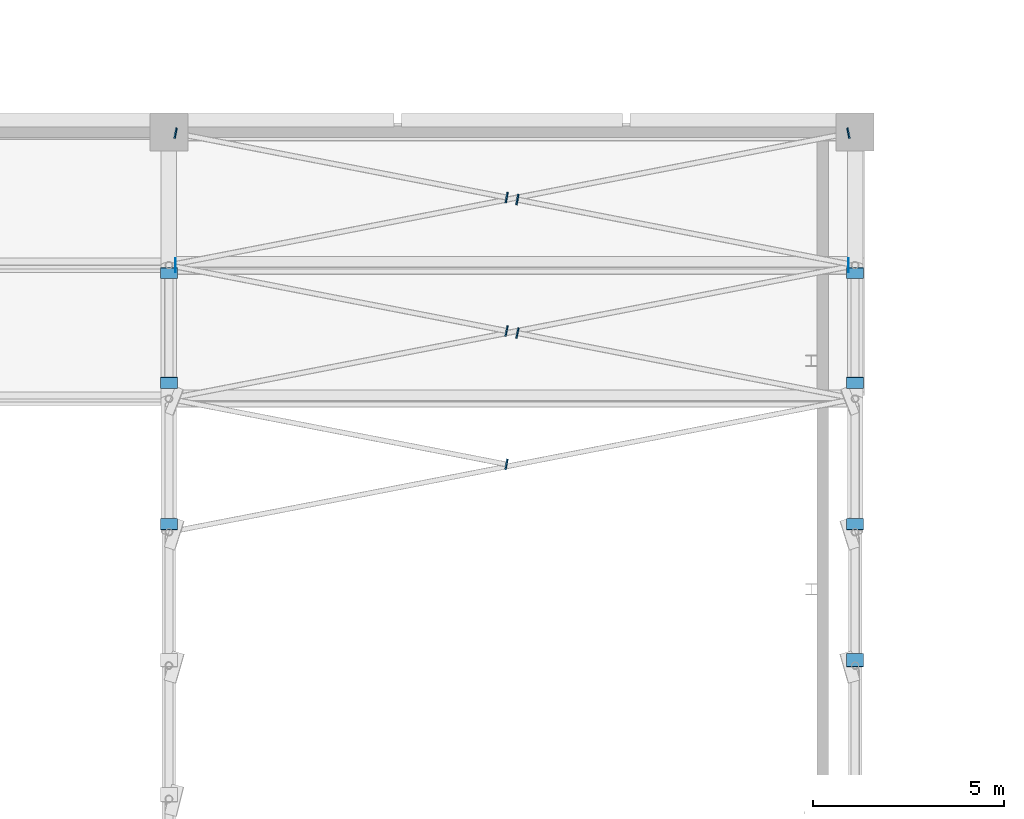
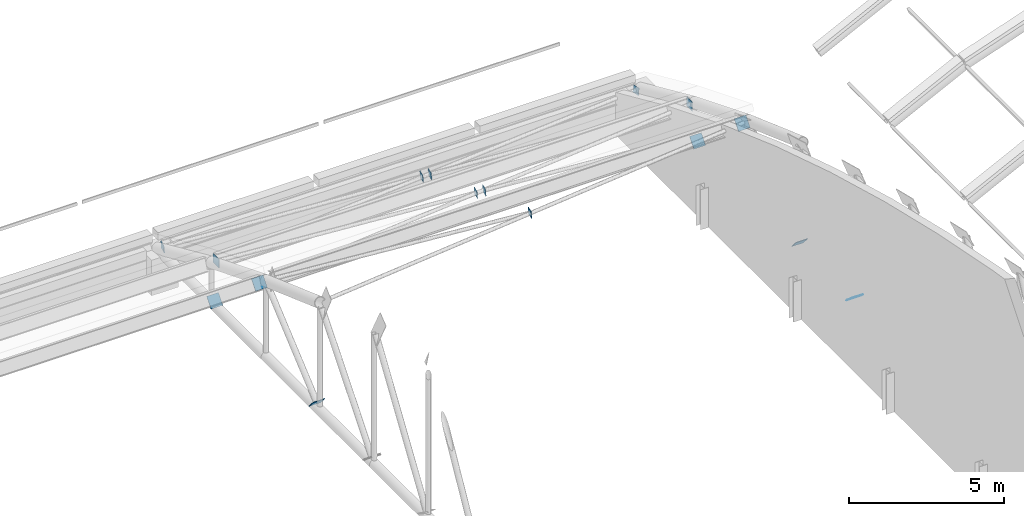
# One storey, part 178 of 196: 16 discrete accessories.
"""IFC4 building model written with IfcOpenShell, lengths in metres."""

from ifc_helpers import new_model, si_unit, direction, frame, origin, origin_2d, place, context, subcontext, project, spatial, rectangle, extrude, material, layer, layer_set, type_object, element, save


model = new_model("IFC4")

# Units and contexts
model_context = context("Model", 3, precision=1e-05, world=origin(), true_north=direction((0.0, 1.0)))
body_context = subcontext(model_context, "Body", "Model", "MODEL_VIEW")
ifc_project = project(units=[si_unit("LENGTHUNIT", "METRE"), si_unit("AREAUNIT", "SQUARE_METRE"), si_unit("VOLUMEUNIT", "CUBIC_METRE"), si_unit("PLANEANGLEUNIT", "RADIAN"), si_unit("MASSUNIT", "GRAM", prefix="KILO")], contexts=[model_context])

# Site, building, storey
site_placement = place(None, origin())
site = spatial("IfcSite", under=ifc_project, at=site_placement, CompositionType="ELEMENT")
building_placement = place(site_placement, origin())
building = spatial("IfcBuilding", under=site, at=building_placement, Name="Okhra Congress Centre", CompositionType="ELEMENT")
storey_placement = place(building_placement, frame((0.0, 0.0, 12.0)))
storey = spatial("IfcBuildingStorey", under=building, at=storey_placement, Name="L02", CompositionType="ELEMENT", Elevation=12.0)

# Discrete accessories
ifc_material = material(Name="Steel S355J2", Category="steel")
ifc_layer = layer(ifc_material, 0.02001953125)
ifc_layer_set = layer_set([ifc_layer], Name="Brace end connection plate 20 mm S355")
discrete_accessory_type = type_object("IfcDiscreteAccessoryType", Name="Brace end connection plate 20 mm S355", PredefinedType="BRACKET", material=ifc_layer_set)
for number, where, z_axis, x_axis, name in (
    (1, (136.0, 205.709228515625, 1.577880859375), (0.0, -0.760121344352, -0.649781149204), (1.0, 0.0, 0.0), "Brace end connection plate"),
    (2, (136.0, 209.42578125, 4.01220703125), (0.0, -0.760121344352, 0.649781149204), (1.0, 0.0, 0.0), "Brace end connection plate"),
    (3, (136.0, 212.290771484375, 1.577880859375), (0.0, 0.760121344352, -0.649781149204), (-1.0, 0.0, 0.0), "Brace end connection plate"),
    (4, (154.0, 202.147216796875, 1.577880859375), (0.0, -0.643761629109, -0.765226087432), (1.0, 0.0, 0.0), "Brace end connection plate"),
    (5, (154.0, 205.709228515625, 1.577880859375), (0.0, -0.760121344352, -0.649781149204), (1.0, 0.0, 0.0), "Brace end connection plate"),
    (6, (154.0, 209.42578125, 4.01220703125), (0.0, -0.760121344352, 0.649781149204), (1.0, 0.0, 0.0), "Brace end connection plate"),
    (7, (154.0, 212.290771484375, 1.577880859375), (0.0, 0.760121344352, -0.649781149204), (-1.0, 0.0, 0.0), "Brace end connection plate"),
):
    element("IfcDiscreteAccessory", number, at=place(storey_placement, frame(where, z_axis=z_axis, x_axis=x_axis)), inside=storey, type_object=discrete_accessory_type, Name=name, PredefinedType="BRACKET", context=body_context, shape_type="SweptSolid", body=[
        extrude(rectangle(XDim=0.43798828125, YDim=0.43798828125, at=origin_2d()), origin(), (0.0, 0.0, 1.0), 0.02001953125),
    ])
discrete_accessory_1_placement = place(storey_placement, frame((144.844970703125, 207.280029296875, 4.99072265625), z_axis=(0.980212576021, -0.183789858004, 0.073515943202), x_axis=(0.18428853505, 0.982872186934, 0.0)))
element("IfcDiscreteAccessory", 8, at=discrete_accessory_1_placement, inside=storey, type_object=discrete_accessory_type, Name="Brace end connection plate", PredefinedType="BRACKET", context=body_context, shape_type="SweptSolid", body=[
    extrude(rectangle(XDim=0.279052734375, YDim=0.279052734375, at=origin_2d()), origin(), (0.0, 0.0, 1.0), 0.02001953125),
])
discrete_accessory_2_placement = place(storey_placement, frame((153.814453125, 212.5, 2.966064453125), z_axis=(1.0, 0.0, 0.0), x_axis=(0.0, 1.0, 0.0)))
element("IfcDiscreteAccessory", 9, at=discrete_accessory_2_placement, inside=storey, type_object=discrete_accessory_type, Name="Brace end connection plate", PredefinedType="BRACKET", context=body_context, shape_type="SweptSolid", body=[
    extrude(rectangle(XDim=0.35791015625, YDim=0.35791015625, at=origin_2d()), origin(), (0.0, 0.0, 1.0), 0.019775390625),
])
for number, where, z_axis, x_axis, name in (
    (10, (145.152587890625, 210.72021484375, 3.682373046875), (-0.977939573758, 0.195587914752, -0.073345468032), (-0.196116135138, -0.980580675691, 0.0), "Brace end connection plate"),
    (11, (144.847412109375, 210.77978515625, 3.658447265625), (0.977939573758, -0.195587914752, 0.073345468032), (0.196116135138, 0.980580675691, 0.0), "Brace end connection plate"),
):
    element("IfcDiscreteAccessory", number, at=place(storey_placement, frame(where, z_axis=z_axis, x_axis=x_axis)), inside=storey, type_object=discrete_accessory_type, Name=name, PredefinedType="BRACKET", context=body_context, shape_type="SweptSolid", body=[
        extrude(rectangle(XDim=0.279052734375, YDim=0.279052734375, at=origin_2d()), origin(), (0.0, 0.0, 1.0), 0.02001953125),
    ])
discrete_accessory_3_placement = place(storey_placement, frame((136.185546875, 212.5, 2.966064453125), z_axis=(-1.0, 0.0, 0.0), x_axis=(0.0, -1.0, 0.0)))
element("IfcDiscreteAccessory", 12, at=discrete_accessory_3_placement, inside=storey, type_object=discrete_accessory_type, Name="Brace end connection plate", PredefinedType="BRACKET", context=body_context, shape_type="SweptSolid", body=[
    extrude(rectangle(XDim=0.35791015625, YDim=0.35791015625, at=origin_2d()), origin(), (0.0, 0.0, 1.0), 0.019775390625),
])
for number, where, z_axis, x_axis, name in (
    (13, (153.814453125, 215.9638671875, 1.416259765625), (0.97699107393, 0.195398214786, -0.085486718969), (-0.196116135138, 0.980580675691, 0.0), "Brace end connection plate"),
    (14, (145.14990234375, 214.220947265625, 2.196533203125), (-0.979257453545, 0.18361077254, -0.085685027185), (-0.18428853505, -0.982872186934, 0.0), "Brace end connection plate"),
    (15, (144.85009765625, 214.279052734375, 2.17041015625), (0.979257453545, -0.18361077254, 0.085685027185), (0.18428853505, 0.982872186934, 0.0), "Brace end connection plate"),
    (16, (136.185546875, 215.9638671875, 1.416259765625), (-0.97699107393, 0.195398214786, -0.085486718969), (-0.196116135138, -0.980580675691, 0.0), "Brace end connection plate"),
):
    element("IfcDiscreteAccessory", number, at=place(storey_placement, frame(where, z_axis=z_axis, x_axis=x_axis)), inside=storey, type_object=discrete_accessory_type, Name=name, PredefinedType="BRACKET", context=body_context, shape_type="SweptSolid", body=[
        extrude(rectangle(XDim=0.279052734375, YDim=0.279052734375, at=origin_2d()), origin(), (0.0, 0.0, 1.0), 0.02001953125),
    ])

save(model, "model.ifc")
